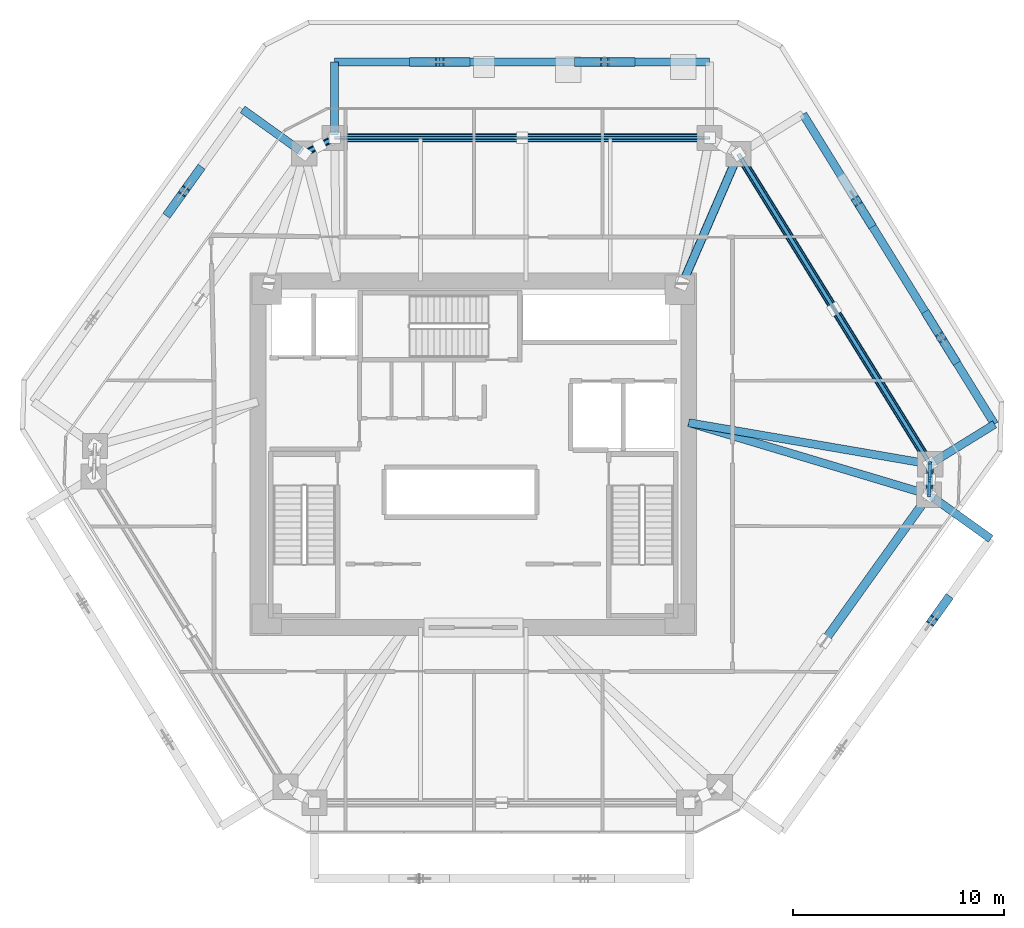
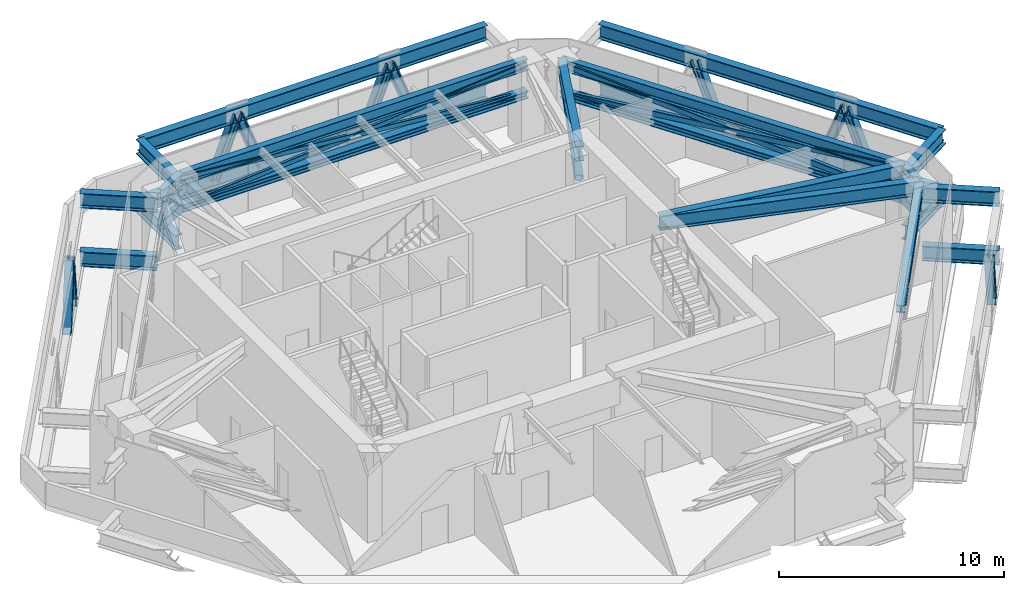
# One storey, part 3 of 11: 26 members, 19 beams.
"""IFC4 building model written with IfcOpenShell, lengths in metres."""

from ifc_helpers import new_model, si_unit, direction, frame, origin, origin_2d, place, context, subcontext, project, spatial, hollow_rectangle, hollow_circle, i_section, extrude, source, transform, mapped, material, material_profile, profile_set, type_object, type_shapes, element, save


model = new_model("IFC4")

# Units and contexts
model_context = context("Model", 3, precision=1e-05, world=origin(), true_north=direction((0.0, 1.0)))
body_context = subcontext(model_context, "Body", "Model", "MODEL_VIEW")
ifc_project = project(units=[si_unit("LENGTHUNIT", "METRE"), si_unit("AREAUNIT", "SQUARE_METRE"), si_unit("VOLUMEUNIT", "CUBIC_METRE"), si_unit("PLANEANGLEUNIT", "RADIAN"), si_unit("MASSUNIT", "GRAM", prefix="KILO")], contexts=[model_context])

# Site, building, storey
site_placement = place(None, origin())
site = spatial("IfcSite", under=ifc_project, at=site_placement, CompositionType="ELEMENT")
building_placement = place(site_placement, origin())
building = spatial("IfcBuilding", under=site, at=building_placement, Name="Durnholm Broadcast Tower", CompositionType="ELEMENT")
storey_placement = place(building_placement, frame((0.0, 0.0, 150.300048828125)))
storey = spatial("IfcBuildingStorey", under=building, at=storey_placement, Name="L41", CompositionType="ELEMENT", Elevation=150.300048828125)

# Beams
ifc_material_1 = material(Name="Steel ASTM A992 Grade 50", Category="steel")
ifc_material_profile_1 = material_profile(ifc_material_1, i_section(OverallWidth=0.385009765625, OverallDepth=0.802978515625, WebThickness=0.023681640625, FlangeThickness=0.0419921875, FilletRadius=0.032958984375, at=origin_2d()), Name="W30X261")
ifc_profile_set_1 = profile_set([ifc_material_profile_1], Name="Steel ASTM A992 Grade 50")
beam_type_1 = type_object("IfcBeamType", Name="BM-EXO-TIE", PredefinedType="USERDEFINED", material=ifc_profile_set_1)
shared_shape_1 = source(origin(), body_context, "Body", "SweptSolid", [
    extrude(i_section(OverallWidth=0.385009765625, OverallDepth=0.802978515625, WebThickness=0.023681640625, FlangeThickness=0.0419921875, FilletRadius=0.032958984375, at=origin_2d()), origin(), (0.0, 0.0, 1.0), 3.4560546875),
])
for number, where, z_axis, x_axis, name in (
    (1, (21.7548828125, -2.00341796875, 0.550048828125), (0.813079048773, -0.582153296346, 0.0), (0.582153296346, 0.813079048773, 0.0), "L41 zone-base exoskeleton stand-off tie bracket F2.2"),
    (2, (21.7548828125, -2.00341796875, 3.728515625), (0.813079048773, -0.582153296346, 0.0), (0.582153296346, 0.813079048773, 0.0), "L41 exoskeleton stand-off tie bracket F2.2"),
    (3, (21.8095703125, -0.3916015625, 0.550048828125), (0.850662348375, 0.525712439512, 0.0), (-0.525712439512, 0.850662348375, 0.0), "L41 zone-base exoskeleton stand-off tie bracket F3.1"),
    (4, (21.8095703125, -0.3916015625, 3.728515625), (0.850662348375, 0.525712439512, 0.0), (-0.525712439512, 0.850662348375, 0.0), "L41 exoskeleton stand-off tie bracket F3.1"),
    (5, (-8.138916015625, 14.360107421875, 0.550048828125), (-0.813079048773, 0.582153296346, 0.0), (-0.582153296346, -0.813079048773, 0.0), "L41 zone-base exoskeleton stand-off tie bracket F5.1"),
    (6, (-8.138916015625, 14.360107421875, 3.728515625), (-0.813079048773, 0.582153296346, 0.0), (-0.582153296346, -0.813079048773, 0.0), "L41 exoskeleton stand-off tie bracket F5.1"),
):
    element("IfcBeam", number, at=place(storey_placement, frame(where, z_axis=z_axis, x_axis=x_axis)), inside=storey, type_object=beam_type_1, Name=name, ObjectType="GIRDER", PredefinedType="USERDEFINED", context=body_context, shape_type="MappedRepresentation", body=[
        mapped(shared_shape_1, transform((0.0, 0.0, 0.0), x_axis=(1.0, 0.0, 0.0), y_axis=(0.0, 1.0, 0.0), z_axis=(0.0, 0.0, 1.0), scale=1.0)),
    ])
shared_shape_2 = source(origin(), body_context, "Body", "SweptSolid", [
    extrude(i_section(OverallWidth=0.385009765625, OverallDepth=0.802978515625, WebThickness=0.023681640625, FlangeThickness=0.0419921875, FilletRadius=0.032958984375, at=origin_2d()), origin(), (0.0, 0.0, 1.0), 3.455810546875),
])
for number, where, z_axis, x_axis, name in (
    (7, (-6.57861328125, 15.162109375, 0.550048828125), (0.0, 1.0, 0.0), (-1.0, 0.0, 0.0), "L41 zone-base exoskeleton stand-off tie bracket F4.2"),
    (8, (-6.57861328125, 15.162109375, 3.728515625), (0.0, 1.0, 0.0), (-1.0, 0.0, 0.0), "L41 exoskeleton stand-off tie bracket F4.2"),
):
    element("IfcBeam", number, at=place(storey_placement, frame(where, z_axis=z_axis, x_axis=x_axis)), inside=storey, type_object=beam_type_1, Name=name, ObjectType="GIRDER", PredefinedType="USERDEFINED", context=body_context, shape_type="MappedRepresentation", body=[
        mapped(shared_shape_2, transform((0.0, 0.0, 0.0), x_axis=(1.0, 0.0, 0.0), y_axis=(0.0, 1.0, 0.0), z_axis=(0.0, 0.0, 1.0), scale=1.0)),
    ])
ifc_material_profile_2 = material_profile(ifc_material_1, i_section(OverallWidth=0.3251953125, OverallDepth=0.6162109375, WebThickness=0.013916015625, FlangeThickness=0.021484375, FilletRadius=0.02783203125, at=origin_2d()), Name="W24X117")
ifc_profile_set_2 = profile_set([ifc_material_profile_2], Name="Steel ASTM A992 Grade 50")
beam_type_2 = type_object("IfcBeamType", Name="STL-SP-W24X117", PredefinedType="SPANDREL", material=ifc_profile_set_2)
shared_shape_3 = source(origin(), body_context, "Body", "SweptSolid", [
    extrude(i_section(OverallWidth=0.3251953125, OverallDepth=0.6162109375, WebThickness=0.013916015625, FlangeThickness=0.021484375, FilletRadius=0.02783203125, at=origin_2d()), origin(), (0.0, 0.0, 1.0), 1.62255859375),
])
beam_1_placement = place(storey_placement, frame((-8.021728515625, 14.2763671875, 4.15673828125), z_axis=(0.889406668864, 0.45711680934, 0.0), x_axis=(-0.45711680934, 0.889406668864, 0.0)))
element("IfcBeam", 9, at=beam_1_placement, inside=storey, type_object=beam_type_2, Name="L41 perimeter spandrel girder 04", PredefinedType="SPANDREL", context=body_context, shape_type="MappedRepresentation", body=[
    mapped(shared_shape_3, transform((0.0, 0.0, 0.0), x_axis=(1.0, 0.0, 0.0), y_axis=(0.0, 1.0, 0.0), z_axis=(0.0, 0.0, 1.0), scale=1.0)),
])
shared_shape_4 = source(origin(), body_context, "Body", "SweptSolid", [
    extrude(i_section(OverallWidth=0.3251953125, OverallDepth=0.6162109375, WebThickness=0.013916015625, FlangeThickness=0.021484375, FilletRadius=0.02783203125, at=origin_2d()), origin(), (0.0, 0.0, 1.0), 17.796142578125),
])
beam_2_placement = place(storey_placement, frame((-6.57861328125, 15.01806640625, 4.15673828125), z_axis=(1.0, 0.0, 0.0), x_axis=(0.0, 1.0, 0.0)))
element("IfcBeam", 10, at=beam_2_placement, inside=storey, type_object=beam_type_2, Name="L41 perimeter spandrel girder 05", PredefinedType="SPANDREL", context=body_context, shape_type="MappedRepresentation", body=[
    mapped(shared_shape_4, transform((0.0, 0.0, 0.0), x_axis=(1.0, 0.0, 0.0), y_axis=(0.0, 1.0, 0.0), z_axis=(0.0, 0.0, 1.0), scale=1.0)),
])
shared_shape_5 = source(origin(), body_context, "Body", "SweptSolid", [
    extrude(i_section(OverallWidth=0.3251953125, OverallDepth=0.6162109375, WebThickness=0.013916015625, FlangeThickness=0.021484375, FilletRadius=0.02783203125, at=origin_2d()), origin(), (0.0, 0.0, 1.0), 17.30322265625),
])
beam_3_placement = place(storey_placement, frame((12.5908203125, 14.252197265625, 4.15673828125), z_axis=(0.525691424148, -0.850675335588, 0.0), x_axis=(0.850675335588, 0.525691424148, 0.0)))
element("IfcBeam", 11, at=beam_3_placement, inside=storey, type_object=beam_type_2, Name="L41 perimeter spandrel girder 07", PredefinedType="SPANDREL", context=body_context, shape_type="MappedRepresentation", body=[
    mapped(shared_shape_5, transform((0.0, 0.0, 0.0), x_axis=(1.0, 0.0, 0.0), y_axis=(0.0, 1.0, 0.0), z_axis=(0.0, 0.0, 1.0), scale=1.0)),
])
shared_shape_6 = source(origin(), body_context, "Body", "SweptSolid", [
    extrude(i_section(OverallWidth=0.3251953125, OverallDepth=0.6162109375, WebThickness=0.013916015625, FlangeThickness=0.021484375, FilletRadius=0.02783203125, at=origin_2d()), origin(), (0.0, 0.0, 1.0), 1.453125),
])
type_shapes(beam_type_2, [shared_shape_3, shared_shape_4, shared_shape_5, shared_shape_6])
beam_4_placement = place(storey_placement, frame((21.68701171875, -0.46728515625, 4.15673828125), z_axis=(-0.033767922326, -0.99942970109, 0.0), x_axis=(0.99942970109, -0.033767922326, 0.0)))
element("IfcBeam", 12, at=beam_4_placement, inside=storey, type_object=beam_type_2, Name="L41 perimeter spandrel girder 08", PredefinedType="SPANDREL", context=body_context, shape_type="MappedRepresentation", body=[
    mapped(shared_shape_6, transform((0.0, 0.0, 0.0), x_axis=(1.0, 0.0, 0.0), y_axis=(0.0, 1.0, 0.0), z_axis=(0.0, 0.0, 1.0), scale=1.0)),
])
ifc_material_profile_3 = material_profile(ifc_material_1, i_section(OverallWidth=0.380615234375, OverallDepth=0.773193359375, WebThickness=0.0166015625, FlangeThickness=0.027099609375, FilletRadius=0.032958984375, at=origin_2d()), Name="W30X173")
ifc_profile_set_3 = profile_set([ifc_material_profile_3], Name="Steel ASTM A992 Grade 50")
beam_type_3 = type_object("IfcBeamType", Name="STL-GR-W30X173", PredefinedType="USERDEFINED", material=ifc_profile_set_3)
shared_shape_7 = source(origin(), body_context, "Body", "SweptSolid", [
    extrude(i_section(OverallWidth=0.380615234375, OverallDepth=0.773193359375, WebThickness=0.0166015625, FlangeThickness=0.027099609375, FilletRadius=0.032958984375, at=origin_2d()), origin(), (0.0, 0.0, 1.0), 7.02978515625),
])
beam_5_placement = place(storey_placement, frame((9.800048828125, 7.800048828125, 4.078369140625), z_axis=(0.396989434191, 0.91782317967, 0.0), x_axis=(-0.91782317967, 0.396989434191, 0.0)))
element("IfcBeam", 13, at=beam_5_placement, inside=storey, type_object=beam_type_3, Name="L41 radial primary floor girder 07", ObjectType="GIRDER", PredefinedType="USERDEFINED", context=body_context, shape_type="MappedRepresentation", body=[
    mapped(shared_shape_7, transform((0.0, 0.0, 0.0), x_axis=(1.0, 0.0, 0.0), y_axis=(0.0, 1.0, 0.0), z_axis=(0.0, 0.0, 1.0), scale=1.0)),
])
shared_shape_8 = source(origin(), body_context, "Body", "SweptSolid", [
    extrude(i_section(OverallWidth=0.380615234375, OverallDepth=0.773193359375, WebThickness=0.0166015625, FlangeThickness=0.027099609375, FilletRadius=0.032958984375, at=origin_2d()), origin(), (0.0, 0.0, 1.0), 11.629638671875),
])
beam_6_placement = place(storey_placement, frame((10.22509765625, 1.5, 4.078369140625), z_axis=(0.985588072878, -0.169163088763, 0.0), x_axis=(0.169163088763, 0.985588072878, 0.0)))
element("IfcBeam", 14, at=beam_6_placement, inside=storey, type_object=beam_type_3, Name="L41 radial primary floor girder 08", ObjectType="GIRDER", PredefinedType="USERDEFINED", context=body_context, shape_type="MappedRepresentation", body=[
    mapped(shared_shape_8, transform((0.0, 0.0, 0.0), x_axis=(1.0, 0.0, 0.0), y_axis=(0.0, 1.0, 0.0), z_axis=(0.0, 0.0, 1.0), scale=1.0)),
])
shared_shape_9 = source(origin(), body_context, "Body", "SweptSolid", [
    extrude(i_section(OverallWidth=0.380615234375, OverallDepth=0.773193359375, WebThickness=0.0166015625, FlangeThickness=0.027099609375, FilletRadius=0.032958984375, at=origin_2d()), origin(), (0.0, 0.0, 1.0), 11.9140625),
])
type_shapes(beam_type_3, [shared_shape_7, shared_shape_8, shared_shape_9])
beam_7_placement = place(storey_placement, frame((10.22509765625, 1.5, 4.078369140625), z_axis=(0.957922673577, -0.287026395037, 0.0), x_axis=(0.287026395037, 0.957922673577, 0.0)))
element("IfcBeam", 15, at=beam_7_placement, inside=storey, type_object=beam_type_3, Name="L41 radial primary floor girder 09", ObjectType="GIRDER", PredefinedType="USERDEFINED", context=body_context, shape_type="MappedRepresentation", body=[
    mapped(shared_shape_9, transform((0.0, 0.0, 0.0), x_axis=(1.0, 0.0, 0.0), y_axis=(0.0, 1.0, 0.0), z_axis=(0.0, 0.0, 1.0), scale=1.0)),
])

# Members
ifc_material_2 = material(Name="Steel ASTM A500 Grade C", Category="steel")
ifc_material_profile_4 = material_profile(ifc_material_2, hollow_rectangle(XDim=0.203125, YDim=0.3046875, WallThickness=0.01171875, InnerFilletRadius=0.017578125, OuterFilletRadius=0.029541015625, at=origin_2d()), Name="HSS12X8X1/2")
ifc_profile_set_4 = profile_set([ifc_material_profile_4], Name="Steel ASTM A500 Grade C")
member_type_1 = type_object("IfcMemberType", Name="STL-TB-HSS12X8", PredefinedType="BRACE", material=ifc_profile_set_4)
shared_shape_10 = source(origin(), body_context, "Body", "SweptSolid", [
    extrude(hollow_rectangle(XDim=0.203125, YDim=0.3046875, WallThickness=0.01171875, InnerFilletRadius=0.017578125, OuterFilletRadius=0.029541015625, at=origin_2d()), origin(), (0.0, 0.0, 1.0), 8.687744140625),
])
member_1_placement = place(storey_placement, frame((21.68701171875, -0.46728515625, 2.550048828125), z_axis=(-0.523508344831, 0.847156721417, 0.090909307828), x_axis=(-0.850679234696, -0.525685114548, 0.0)))
element("IfcMember", 16, at=member_1_placement, inside=storey, type_object=member_type_1, Name="L41 belt-truss split X-diagonal segment 07.1", PredefinedType="BRACE", context=body_context, shape_type="MappedRepresentation", body=[
    mapped(shared_shape_10, transform((0.0, 0.0, 0.0), x_axis=(1.0, 0.0, 0.0), y_axis=(0.0, 1.0, 0.0), z_axis=(0.0, 0.0, 1.0), scale=1.0)),
])
ifc_material_profile_5 = material_profile(ifc_material_2, hollow_rectangle(XDim=0.15234375, YDim=0.25390625, WallThickness=0.0087890625, InnerFilletRadius=0.013427734375, OuterFilletRadius=0.022216796875, at=origin_2d()), Name="HSS10X6X3/8")
ifc_profile_set_5 = profile_set([ifc_material_profile_5], Name="Steel ASTM A500 Grade C")
member_type_2 = type_object("IfcMemberType", Name="STL-TB-HSS10X6", PredefinedType="BRACE", material=ifc_profile_set_5)
shared_shape_11 = source(origin(), body_context, "Body", "SweptSolid", [
    extrude(hollow_rectangle(XDim=0.15234375, YDim=0.25390625, WallThickness=0.0087890625, InnerFilletRadius=0.013427734375, OuterFilletRadius=0.022216796875, at=origin_2d()), origin(), (0.0, 0.0, 1.0), 1.73876953125),
])
member_2_placement = place(storey_placement, frame((21.68701171875, -0.46728515625, 2.550048828125), z_axis=(-0.014040220127, -0.417556146566, 0.908542644395), x_axis=(0.999435167082, -0.03360575545, 0.0)))
element("IfcMember", 17, at=member_2_placement, inside=storey, type_object=member_type_2, Name="L41 belt-truss chevron brace 08.1", PredefinedType="BRACE", context=body_context, shape_type="MappedRepresentation", body=[
    mapped(shared_shape_11, transform((0.0, 0.0, 0.0), x_axis=(1.0, 0.0, 0.0), y_axis=(0.0, 1.0, 0.0), z_axis=(0.0, 0.0, 1.0), scale=1.0)),
])
ifc_material_3 = material(Name="Steel ASTM A913 Grade 65", Category="steel")
ifc_material_profile_6 = material_profile(ifc_material_3, i_section(OverallWidth=0.412109375, OverallDepth=0.434814453125, WebThickness=0.035888671875, FlangeThickness=0.057373046875, FilletRadius=0.030517578125, at=origin_2d()), Name="W14X311")
ifc_profile_set_6 = profile_set([ifc_material_profile_6], Name="Steel ASTM A913 Grade 65")
member_type_3 = type_object("IfcMemberType", Name="STL-DG-W14X311", PredefinedType="BRACE", material=ifc_profile_set_6)
shared_shape_12 = source(origin(), body_context, "Body", "SweptSolid", [
    extrude(i_section(OverallWidth=0.412109375, OverallDepth=0.434814453125, WebThickness=0.035888671875, FlangeThickness=0.057373046875, FilletRadius=0.030517578125, at=origin_2d()), origin(), (0.0, 0.0, 1.0), 8.572265625),
])
member_3_placement = place(storey_placement, frame((16.668701171875, -8.85986328125, 3.33984375), z_axis=(0.579688138829, 0.809609645402, 0.092162268706), x_axis=(-0.813070070523, 0.58216583584, 0.0)))
element("IfcMember", 18, at=member_3_placement, inside=storey, type_object=member_type_3, Name="L41 belt-truss split X-diagonal segment 09.2", PredefinedType="BRACE", context=body_context, shape_type="MappedRepresentation", body=[
    mapped(shared_shape_12, transform((0.0, 0.0, 0.0), x_axis=(1.0, 0.0, 0.0), y_axis=(0.0, 1.0, 0.0), z_axis=(0.0, 0.0, 1.0), scale=1.0)),
])
ifc_material_profile_7 = material_profile(ifc_material_2, hollow_rectangle(XDim=0.3046875, YDim=0.508056640625, WallThickness=0.014892578125, InnerFilletRadius=0.022216796875, OuterFilletRadius=0.037109375, at=origin_2d()), Name="HSS20X12X5/8")
ifc_profile_set_7 = profile_set([ifc_material_profile_7], Name="Steel ASTM A500 Grade C")
member_type_4 = type_object("IfcMemberType", Name="STL-TC-HSS20X12", PredefinedType="CHORD", material=ifc_profile_set_7)
shared_shape_13 = source(origin(), body_context, "Body", "SweptSolid", [
    extrude(hollow_rectangle(XDim=0.3046875, YDim=0.508056640625, WallThickness=0.014892578125, InnerFilletRadius=0.022216796875, OuterFilletRadius=0.037109375, at=origin_2d()), origin(), (0.0, 0.0, 1.0), 1.62255859375),
])
member_4_placement = place(storey_placement, frame((-8.021728515625, 14.2763671875, 2.550048828125), z_axis=(0.889406668864, 0.45711680934, 0.0), x_axis=(-0.45711680934, 0.889406668864, 0.0)))
element("IfcMember", 19, at=member_4_placement, inside=storey, type_object=member_type_4, Name="L41 perimeter belt-truss bottom chord 04", PredefinedType="CHORD", context=body_context, shape_type="MappedRepresentation", body=[
    mapped(shared_shape_13, transform((0.0, 0.0, 0.0), x_axis=(1.0, 0.0, 0.0), y_axis=(0.0, 1.0, 0.0), z_axis=(0.0, 0.0, 1.0), scale=1.0)),
])
shared_shape_14 = source(origin(), body_context, "Body", "SweptSolid", [
    extrude(hollow_rectangle(XDim=0.203125, YDim=0.3046875, WallThickness=0.01171875, InnerFilletRadius=0.017578125, OuterFilletRadius=0.029541015625, at=origin_2d()), origin(), (0.0, 0.0, 1.0), 1.77587890625),
])
member_5_placement = place(storey_placement, frame((-8.021728515625, 14.2763671875, 2.550048828125), z_axis=(0.406233150516, 0.208821710875, 0.889588736714), x_axis=(-0.457177990462, 0.889375221735, 0.0)))
element("IfcMember", 20, at=member_5_placement, inside=storey, type_object=member_type_1, Name="L41 belt-truss chevron brace 04.1", PredefinedType="BRACE", context=body_context, shape_type="MappedRepresentation", body=[
    mapped(shared_shape_14, transform((0.0, 0.0, 0.0), x_axis=(1.0, 0.0, 0.0), y_axis=(0.0, 1.0, 0.0), z_axis=(0.0, 0.0, 1.0), scale=1.0)),
])
shared_shape_15 = source(origin(), body_context, "Body", "SweptSolid", [
    extrude(hollow_rectangle(XDim=0.203125, YDim=0.3046875, WallThickness=0.01171875, InnerFilletRadius=0.017578125, OuterFilletRadius=0.029541015625, at=origin_2d()), origin(), (0.0, 0.0, 1.0), 1.776123046875),
])
member_6_placement = place(storey_placement, frame((-6.57861328125, 15.01806640625, 2.550048828125), z_axis=(-0.406347927491, -0.20881004799, 0.889539052365), x_axis=(0.457055642428, -0.889438103369, 0.0)))
element("IfcMember", 21, at=member_6_placement, inside=storey, type_object=member_type_1, Name="L41 belt-truss chevron brace 04.2", PredefinedType="BRACE", context=body_context, shape_type="MappedRepresentation", body=[
    mapped(shared_shape_15, transform((0.0, 0.0, 0.0), x_axis=(1.0, 0.0, 0.0), y_axis=(0.0, 1.0, 0.0), z_axis=(0.0, 0.0, 1.0), scale=1.0)),
])
ifc_material_profile_8 = material_profile(ifc_material_1, i_section(OverallWidth=0.4013671875, OverallDepth=0.3994140625, WebThickness=0.02490234375, FlangeThickness=0.03955078125, FilletRadius=0.030517578125, at=origin_2d()), Name="W14X211")
ifc_profile_set_8 = profile_set([ifc_material_profile_8], Name="Steel ASTM A992 Grade 50")
member_type_5 = type_object("IfcMemberType", Name="STL-TC-W14X211", PredefinedType="CHORD", material=ifc_profile_set_8)
shared_shape_16 = source(origin(), body_context, "Body", "SweptSolid", [
    extrude(i_section(OverallWidth=0.4013671875, OverallDepth=0.3994140625, WebThickness=0.02490234375, FlangeThickness=0.03955078125, FilletRadius=0.030517578125, at=origin_2d()), origin(), (0.0, 0.0, 1.0), 17.796142578125),
])
member_7_placement = place(storey_placement, frame((-6.57861328125, 15.01806640625, 2.550048828125), z_axis=(1.0, 0.0, 0.0), x_axis=(0.0, 1.0, 0.0)))
element("IfcMember", 22, at=member_7_placement, inside=storey, type_object=member_type_5, Name="L41 perimeter belt-truss bottom chord 05", PredefinedType="CHORD", context=body_context, shape_type="MappedRepresentation", body=[
    mapped(shared_shape_16, transform((0.0, 0.0, 0.0), x_axis=(1.0, 0.0, 0.0), y_axis=(0.0, 1.0, 0.0), z_axis=(0.0, 0.0, 1.0), scale=1.0)),
])
shared_shape_17 = source(origin(), body_context, "Body", "SweptSolid", [
    extrude(hollow_rectangle(XDim=0.15234375, YDim=0.25390625, WallThickness=0.0087890625, InnerFilletRadius=0.013427734375, OuterFilletRadius=0.022216796875, at=origin_2d()), origin(), (0.0, 0.0, 1.0), 17.8662109375),
])
member_8_placement = place(storey_placement, frame((-6.57861328125, 15.01806640625, 2.550048828125), z_axis=(0.996082730648, 0.0, 0.088426204849), x_axis=(0.0, 1.0, 0.0)))
element("IfcMember", 23, at=member_8_placement, inside=storey, type_object=member_type_2, Name="L41 belt-truss continuous X-diagonal brace 05", PredefinedType="BRACE", context=body_context, shape_type="MappedRepresentation", body=[
    mapped(shared_shape_17, transform((0.0, 0.0, 0.0), x_axis=(1.0, 0.0, 0.0), y_axis=(0.0, 1.0, 0.0), z_axis=(0.0, 0.0, 1.0), scale=1.0)),
])
shared_shape_18 = source(origin(), body_context, "Body", "SweptSolid", [
    extrude(hollow_rectangle(XDim=0.15234375, YDim=0.25390625, WallThickness=0.0087890625, InnerFilletRadius=0.013427734375, OuterFilletRadius=0.022216796875, at=origin_2d()), origin(), (0.0, 0.0, 1.0), 8.93310546875),
])
member_9_placement = place(storey_placement, frame((11.217529296875, 15.01806640625, 2.550048828125), z_axis=(-0.996084040983, 0.0, 0.088411443262), x_axis=(0.0, -1.0, 0.0)))
element("IfcMember", 24, at=member_9_placement, inside=storey, type_object=member_type_2, Name="L41 belt-truss split X-diagonal segment 05.1", PredefinedType="BRACE", context=body_context, shape_type="MappedRepresentation", body=[
    mapped(shared_shape_18, transform((0.0, 0.0, 0.0), x_axis=(1.0, 0.0, 0.0), y_axis=(0.0, 1.0, 0.0), z_axis=(0.0, 0.0, 1.0), scale=1.0)),
])
shared_shape_19 = source(origin(), body_context, "Body", "SweptSolid", [
    extrude(hollow_rectangle(XDim=0.15234375, YDim=0.25390625, WallThickness=0.0087890625, InnerFilletRadius=0.013427734375, OuterFilletRadius=0.022216796875, at=origin_2d()), origin(), (0.0, 0.0, 1.0), 8.932861328125),
])
member_10_placement = place(storey_placement, frame((2.3193359375, 15.01806640625, 3.33984375), z_axis=(-0.996081420063, 0.0, 0.088440966782), x_axis=(0.0, -1.0, 0.0)))
element("IfcMember", 25, at=member_10_placement, inside=storey, type_object=member_type_2, Name="L41 belt-truss split X-diagonal segment 05.2", PredefinedType="BRACE", context=body_context, shape_type="MappedRepresentation", body=[
    mapped(shared_shape_19, transform((0.0, 0.0, 0.0), x_axis=(1.0, 0.0, 0.0), y_axis=(0.0, 1.0, 0.0), z_axis=(0.0, 0.0, 1.0), scale=1.0)),
])
shared_shape_20 = source(origin(), body_context, "Body", "SweptSolid", [
    extrude(i_section(OverallWidth=0.4013671875, OverallDepth=0.3994140625, WebThickness=0.02490234375, FlangeThickness=0.03955078125, FilletRadius=0.030517578125, at=origin_2d()), origin(), (0.0, 0.0, 1.0), 17.30322265625),
])
type_shapes(member_type_5, [shared_shape_16, shared_shape_20])
member_11_placement = place(storey_placement, frame((12.5908203125, 14.252197265625, 2.550048828125), z_axis=(0.525691424148, -0.850675335588, 0.0), x_axis=(0.850675335588, 0.525691424148, 0.0)))
element("IfcMember", 26, at=member_11_placement, inside=storey, type_object=member_type_5, Name="L41 perimeter belt-truss bottom chord 07", PredefinedType="CHORD", context=body_context, shape_type="MappedRepresentation", body=[
    mapped(shared_shape_20, transform((0.0, 0.0, 0.0), x_axis=(1.0, 0.0, 0.0), y_axis=(0.0, 1.0, 0.0), z_axis=(0.0, 0.0, 1.0), scale=1.0)),
])
shared_shape_21 = source(origin(), body_context, "Body", "SweptSolid", [
    extrude(hollow_rectangle(XDim=0.203125, YDim=0.3046875, WallThickness=0.01171875, InnerFilletRadius=0.017578125, OuterFilletRadius=0.029541015625, at=origin_2d()), origin(), (0.0, 0.0, 1.0), 17.375244140625),
])
member_12_placement = place(storey_placement, frame((12.5908203125, 14.252197265625, 2.550048828125), z_axis=(0.523513907593, -0.847151672196, 0.090924324871), x_axis=(0.850675335588, 0.525691424148, 0.0)))
element("IfcMember", 27, at=member_12_placement, inside=storey, type_object=member_type_1, Name="L41 belt-truss continuous X-diagonal brace 07", PredefinedType="BRACE", context=body_context, shape_type="MappedRepresentation", body=[
    mapped(shared_shape_21, transform((0.0, 0.0, 0.0), x_axis=(1.0, 0.0, 0.0), y_axis=(0.0, 1.0, 0.0), z_axis=(0.0, 0.0, 1.0), scale=1.0)),
])
shared_shape_22 = source(origin(), body_context, "Body", "SweptSolid", [
    extrude(hollow_rectangle(XDim=0.203125, YDim=0.3046875, WallThickness=0.01171875, InnerFilletRadius=0.017578125, OuterFilletRadius=0.029541015625, at=origin_2d()), origin(), (0.0, 0.0, 1.0), 8.6875),
])
type_shapes(member_type_1, [shared_shape_10, shared_shape_14, shared_shape_15, shared_shape_21, shared_shape_22])
member_13_placement = place(storey_placement, frame((17.138916015625, 6.892578125, 3.33984375), z_axis=(-0.523519470325, 0.847146622628, 0.090939342207), x_axis=(-0.850671436339, -0.525697733871, 0.0)))
element("IfcMember", 28, at=member_13_placement, inside=storey, type_object=member_type_1, Name="L41 belt-truss split X-diagonal segment 07.2", PredefinedType="BRACE", context=body_context, shape_type="MappedRepresentation", body=[
    mapped(shared_shape_22, transform((0.0, 0.0, 0.0), x_axis=(1.0, 0.0, 0.0), y_axis=(0.0, 1.0, 0.0), z_axis=(0.0, 0.0, 1.0), scale=1.0)),
])
shared_shape_23 = source(origin(), body_context, "Body", "SweptSolid", [
    extrude(hollow_rectangle(XDim=0.3046875, YDim=0.508056640625, WallThickness=0.014892578125, InnerFilletRadius=0.022216796875, OuterFilletRadius=0.037109375, at=origin_2d()), origin(), (0.0, 0.0, 1.0), 1.453125),
])
type_shapes(member_type_4, [shared_shape_13, shared_shape_23])
member_14_placement = place(storey_placement, frame((21.68701171875, -0.46728515625, 2.550048828125), z_axis=(-0.033767922326, -0.99942970109, 0.0), x_axis=(0.99942970109, -0.033767922326, 0.0)))
element("IfcMember", 29, at=member_14_placement, inside=storey, type_object=member_type_4, Name="L41 perimeter belt-truss bottom chord 08", PredefinedType="CHORD", context=body_context, shape_type="MappedRepresentation", body=[
    mapped(shared_shape_23, transform((0.0, 0.0, 0.0), x_axis=(1.0, 0.0, 0.0), y_axis=(0.0, 1.0, 0.0), z_axis=(0.0, 0.0, 1.0), scale=1.0)),
])
shared_shape_24 = source(origin(), body_context, "Body", "SweptSolid", [
    extrude(hollow_rectangle(XDim=0.15234375, YDim=0.25390625, WallThickness=0.0087890625, InnerFilletRadius=0.013427734375, OuterFilletRadius=0.022216796875, at=origin_2d()), origin(), (0.0, 0.0, 1.0), 1.739013671875),
])
type_shapes(member_type_2, [shared_shape_11, shared_shape_17, shared_shape_18, shared_shape_19, shared_shape_24])
member_15_placement = place(storey_placement, frame((21.637939453125, -1.919677734375, 2.550048828125), z_axis=(0.014179762822, 0.417671231644, 0.908487576461), x_axis=(-0.999424210697, 0.033930032027, 0.0)))
element("IfcMember", 30, at=member_15_placement, inside=storey, type_object=member_type_2, Name="L41 belt-truss chevron brace 08.2", PredefinedType="BRACE", context=body_context, shape_type="MappedRepresentation", body=[
    mapped(shared_shape_24, transform((0.0, 0.0, 0.0), x_axis=(1.0, 0.0, 0.0), y_axis=(0.0, 1.0, 0.0), z_axis=(0.0, 0.0, 1.0), scale=1.0)),
])
ifc_material_profile_9 = material_profile(ifc_material_2, hollow_circle(Radius=0.203125, WallThickness=0.01171875, at=origin_2d()), Name="HSS16.000X0.500")
ifc_profile_set_9 = profile_set([ifc_material_profile_9], Name="Steel ASTM A500 Grade C")
member_type_6 = type_object("IfcMemberType", Name="STL-OS-CHS16", PredefinedType="STRUT", material=ifc_profile_set_9)
shared_shape_25 = source(origin(), body_context, "Body", "SweptSolid", [
    extrude(hollow_circle(Radius=0.203125, WallThickness=0.01171875, at=origin_2d()), origin(), (0.0, 0.0, 1.0), 6.893310546875),
])
type_shapes(member_type_6, [shared_shape_25])
member_16_placement = place(storey_placement, frame((9.927001953125, 8.09375, 2.550048828125), z_axis=(0.386433054832, 0.893389589234, 0.229182320394), x_axis=(-0.917818698387, 0.396999794573, 0.0)))
element("IfcMember", 31, at=member_16_placement, inside=storey, type_object=member_type_6, Name="L41 radial core-to-perimeter outrigger strut 07", PredefinedType="STRUT", context=body_context, shape_type="MappedRepresentation", body=[
    mapped(shared_shape_25, transform((0.0, 0.0, 0.0), x_axis=(1.0, 0.0, 0.0), y_axis=(0.0, 1.0, 0.0), z_axis=(0.0, 0.0, 1.0), scale=1.0)),
])

# Beams
shared_shape_26 = source(origin(), body_context, "Body", "SweptSolid", [
    extrude(i_section(OverallWidth=0.385009765625, OverallDepth=0.802978515625, WebThickness=0.023681640625, FlangeThickness=0.0419921875, FilletRadius=0.032958984375, at=origin_2d()), origin(), (0.0, 0.0, 1.0), 17.796142578125),
])
for number, where, z_axis, x_axis, name in (
    (32, (11.217529296875, 18.617919921875, 0.550048828125), (-1.0, 0.0, 0.0), (0.0, -1.0, 0.0), "L41 zone-base exoskeleton collector spandrel F4"),
    (33, (11.217529296875, 18.617919921875, 3.728515625), (-1.0, 0.0, 0.0), (0.0, -1.0, 0.0), "L41 exoskeleton collector spandrel F4"),
):
    element("IfcBeam", number, at=place(storey_placement, frame(where, z_axis=z_axis, x_axis=x_axis)), inside=storey, type_object=beam_type_1, Name=name, PredefinedType="SPANDREL", context=body_context, shape_type="MappedRepresentation", body=[
        mapped(shared_shape_26, transform((0.0, 0.0, 0.0), x_axis=(1.0, 0.0, 0.0), y_axis=(0.0, 1.0, 0.0), z_axis=(0.0, 0.0, 1.0), scale=1.0)),
    ])

# Members
shared_shape_27 = source(origin(), body_context, "Body", "SweptSolid", [
    extrude(i_section(OverallWidth=0.412109375, OverallDepth=0.434814453125, WebThickness=0.035888671875, FlangeThickness=0.057373046875, FilletRadius=0.030517578125, at=origin_2d()), origin(), (0.0, 0.0, 1.0), 3.409423828125),
])
for number, where, z_axis, x_axis, name in (
    (34, (22.50048828125, -6.898681640625, 0.550048828125), (-0.210594414964, -0.294230687211, 0.932243688683), (0.813171482985, -0.58202417412, 0.0), "L41 stand-off diagrid brace F2.D2.2"),
    (35, (21.553955078125, 6.59619140625, 0.550048828125), (0.190189625534, -0.307769205777, 0.932258559797), (0.85067825406, 0.525686701439, 0.0), "L41 stand-off diagrid brace F3.D1.2"),
    (36, (18.8486328125, 10.973876953125, 0.550048828125), (-0.190189625534, 0.307769205777, 0.932258559797), (-0.85067825406, -0.525686701439, 0.0), "L41 stand-off diagrid brace F3.D2.1"),
    (37, (-13.013427734375, 13.48876953125, 0.550048828125), (-0.210662844069, -0.294226249585, 0.932229628463), (0.813077820009, -0.582155012526, 0.0), "L41 stand-off diagrid brace F5.D1.1"),
    (38, (-14.449951171875, 11.482421875, 0.550048828125), (0.210662844069, 0.294226249585, 0.932229628463), (-0.813077820009, 0.582155012526, 0.0), "L41 stand-off diagrid brace F5.D1.2"),
):
    element("IfcMember", number, at=place(storey_placement, frame(where, z_axis=z_axis, x_axis=x_axis)), inside=storey, type_object=member_type_3, Name=name, PredefinedType="BRACE", context=body_context, shape_type="MappedRepresentation", body=[
        mapped(shared_shape_27, transform((0.0, 0.0, 0.0), x_axis=(1.0, 0.0, 0.0), y_axis=(0.0, 1.0, 0.0), z_axis=(0.0, 0.0, 1.0), scale=1.0)),
    ])
shared_shape_28 = source(origin(), body_context, "Body", "SweptSolid", [
    extrude(i_section(OverallWidth=0.412109375, OverallDepth=0.434814453125, WebThickness=0.035888671875, FlangeThickness=0.057373046875, FilletRadius=0.030517578125, at=origin_2d()), origin(), (0.0, 0.0, 1.0), 3.40966796875),
])
type_shapes(member_type_3, [shared_shape_12, shared_shape_27, shared_shape_28])
for number, where, z_axis, x_axis, name in (
    (39, (22.85107421875, 4.497314453125, 0.550048828125), (-0.1902544482, 0.307829835459, 0.932225314686), (-0.850644447398, -0.525741404219, 0.0), "L41 stand-off diagrid brace F3.D1.1"),
    (40, (7.468505859375, 18.617919921875, 0.550048828125), (-0.361889868816, 0.0, 0.932220855188), (0.0, -1.0, 0.0), "L41 stand-off diagrid brace F4.D1.1"),
    (41, (5.000732421875, 18.617919921875, 0.550048828125), (0.361889868816, 0.0, 0.932220855188), (0.0, 1.0, 0.0), "L41 stand-off diagrid brace F4.D1.2"),
    (42, (-0.36181640625, 18.617919921875, 0.550048828125), (-0.361889868816, 0.0, 0.932220855188), (0.0, -1.0, 0.0), "L41 stand-off diagrid brace F4.D2.1"),
    (43, (-2.82958984375, 18.617919921875, 0.550048828125), (0.361889868816, 0.0, 0.932220855188), (0.0, 1.0, 0.0), "L41 stand-off diagrid brace F4.D2.2"),
):
    element("IfcMember", number, at=place(storey_placement, frame(where, z_axis=z_axis, x_axis=x_axis)), inside=storey, type_object=member_type_3, Name=name, PredefinedType="BRACE", context=body_context, shape_type="MappedRepresentation", body=[
        mapped(shared_shape_28, transform((0.0, 0.0, 0.0), x_axis=(1.0, 0.0, 0.0), y_axis=(0.0, 1.0, 0.0), z_axis=(0.0, 0.0, 1.0), scale=1.0)),
    ])

# Beams
shared_shape_29 = source(origin(), body_context, "Body", "SweptSolid", [
    extrude(i_section(OverallWidth=0.385009765625, OverallDepth=0.802978515625, WebThickness=0.023681640625, FlangeThickness=0.0419921875, FilletRadius=0.032958984375, at=origin_2d()), origin(), (0.0, 0.0, 1.0), 17.303466796875),
])
type_shapes(beam_type_1, [shared_shape_1, shared_shape_2, shared_shape_26, shared_shape_29])
for number, where, z_axis, x_axis, name in (
    (44, (24.74951171875, 1.42529296875, 0.550048828125), (-0.525701634347, 0.850669025911, 0.0), (-0.850669025911, -0.525701634347, 0.0), "L41 zone-base exoskeleton collector spandrel F3"),
    (45, (24.74951171875, 1.42529296875, 3.728515625), (-0.525701634347, 0.850669025911, 0.0), (-0.850669025911, -0.525701634347, 0.0), "L41 exoskeleton collector spandrel F3"),
):
    element("IfcBeam", number, at=place(storey_placement, frame(where, z_axis=z_axis, x_axis=x_axis)), inside=storey, type_object=beam_type_1, Name=name, PredefinedType="SPANDREL", context=body_context, shape_type="MappedRepresentation", body=[
        mapped(shared_shape_29, transform((0.0, 0.0, 0.0), x_axis=(1.0, 0.0, 0.0), y_axis=(0.0, 1.0, 0.0), z_axis=(0.0, 0.0, 1.0), scale=1.0)),
    ])

save(model, "model.ifc")
